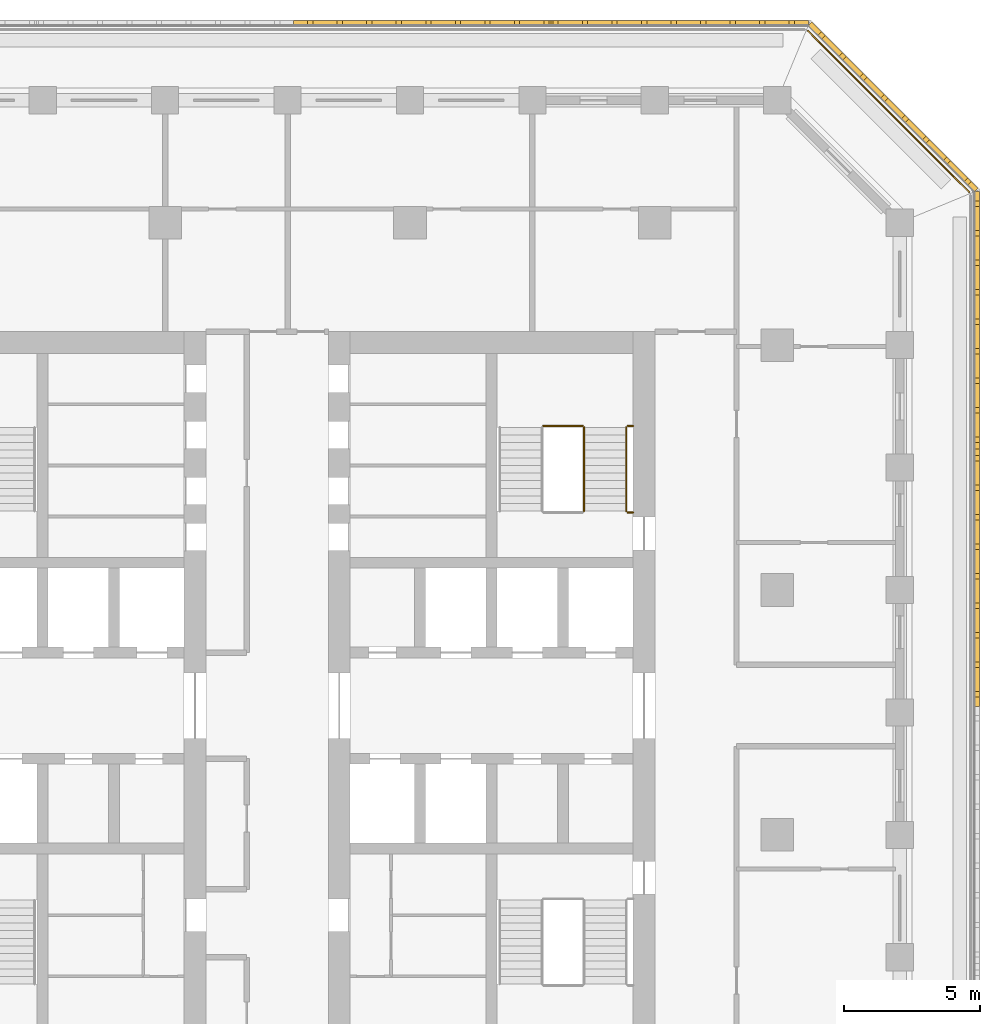
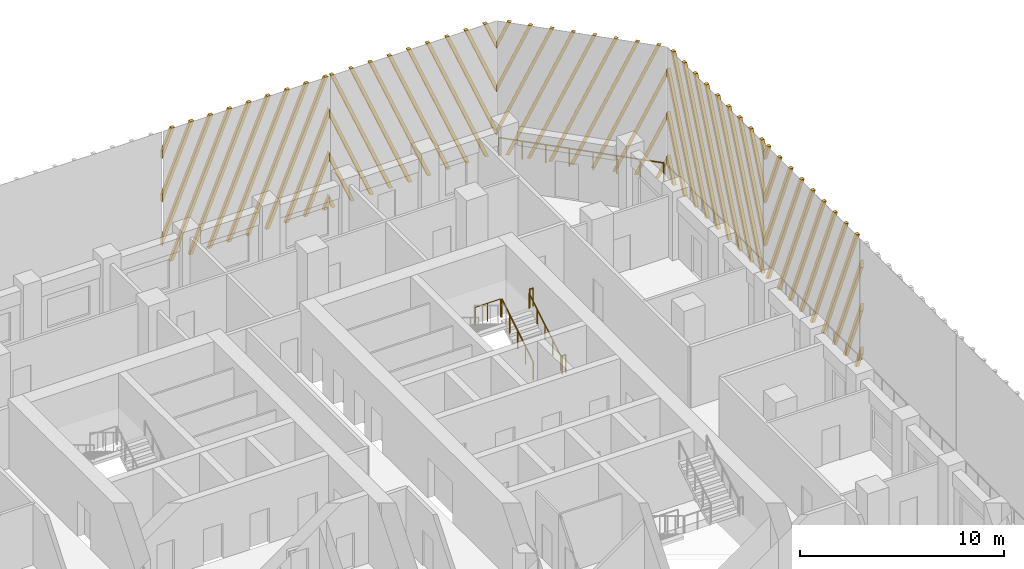
# One storey, part 16 of 17: 6 railings, 5 shading devices.
"""IFC4 building model written with IfcOpenShell, lengths in metres."""

from ifc_helpers import new_model, si_unit, direction, frame, origin, origin_2d, place, context, subcontext, project, spatial, polyline, circle, outline, extrude, source, transform, mapped, material, type_object, element, save


model = new_model("IFC4")

# Units and contexts
model_context = context("Model", 3, precision=1e-05, world=origin(), true_north=direction((0.0, 1.0)))
body_context = subcontext(model_context, "Body", "Model", "MODEL_VIEW")
ifc_project = project(units=[si_unit("LENGTHUNIT", "METRE"), si_unit("AREAUNIT", "SQUARE_METRE"), si_unit("VOLUMEUNIT", "CUBIC_METRE"), si_unit("PLANEANGLEUNIT", "RADIAN"), si_unit("MASSUNIT", "GRAM", prefix="KILO")], contexts=[model_context])

# Site, building, storey
site_placement = place(None, origin())
site = spatial("IfcSite", under=ifc_project, at=site_placement, CompositionType="ELEMENT")
building_placement = place(site_placement, origin())
building = spatial("IfcBuilding", under=site, at=building_placement, Name="Corbel Stack Research Tower", CompositionType="ELEMENT")
storey_placement = place(building_placement, frame((0.0, 0.0, 156.800048828125)))
storey = spatial("IfcBuildingStorey", under=building, at=storey_placement, Name="L35", CompositionType="ELEMENT", Elevation=156.800048828125)

# Railings
ifc_material_1 = material(Name="Steel S355", Category="steel")
railing_type_1 = type_object("IfcRailingType", Name="Stair guard 1100", PredefinedType="GUARDRAIL", material=ifc_material_1)
railing_1_placement = place(storey_placement, frame((15.39990234375, 11.89990234375, 0.1708984375)))
element("IfcRailing", 1, at=railing_1_placement, inside=storey, type_object=railing_type_1, Name="L35 ST-E2 stair guard 1", PredefinedType="GUARDRAIL", context=body_context, shape_type="SweptSolid", body=[
    extrude(circle(Radius=0.02392578125, at=origin_2d()), frame((0.0, 0.0, 1.076171875), z_axis=(0.0, 0.853666305674, 0.52082035152), x_axis=(-1.0, 0.0, 0.0)), (0.0, 0.0, 1.0), 3.608154296875),
    extrude(circle(Radius=0.02099609375, at=origin_2d()), origin(), (0.0, 0.0, 1.0), 1.052001953125),
    extrude(circle(Radius=0.02099609375, at=origin_2d()), frame((0.0, 0.77001953125, 0.4697265625)), (0.0, 0.0, 1.0), 1.052001953125),
    extrude(circle(Radius=0.02099609375, at=origin_2d()), frame((0.0, 1.5400390625, 0.939453125)), (0.0, 0.0, 1.0), 1.052001953125),
    extrude(circle(Radius=0.02099609375, at=origin_2d()), frame((0.0, 2.31005859375, 1.409423828125)), (0.0, 0.0, 1.0), 1.052001953125),
    extrude(circle(Radius=0.02099609375, at=origin_2d()), frame((0.0, 3.080078125, 1.879150390625)), (0.0, 0.0, 1.0), 1.052001953125),
])
railing_2_placement = place(storey_placement, frame((15.35009765625, 15.030029296875, 2.050048828125)))
element("IfcRailing", 2, at=railing_2_placement, inside=storey, type_object=railing_type_1, Name="L35 ST-E2 stair guard 2", PredefinedType="GUARDRAIL", context=body_context, shape_type="SweptSolid", body=[
    extrude(circle(Radius=0.02392578125, at=origin_2d()), frame((0.0, 0.0, 1.076171875), z_axis=(-1.0, 0.0, 0.0), x_axis=(0.0, -1.0, 0.0)), (0.0, 0.0, 1.0), 1.4501953125),
    extrude(circle(Radius=0.02099609375, at=origin_2d()), origin(), (0.0, 0.0, 1.0), 1.052001953125),
    extrude(circle(Radius=0.02099609375, at=origin_2d()), frame((-0.72509765625, 0.0, 0.0)), (0.0, 0.0, 1.0), 1.052001953125),
    extrude(circle(Radius=0.02099609375, at=origin_2d()), frame((-1.4501953125, 0.0, 0.0)), (0.0, 0.0, 1.0), 1.052001953125),
])
for number, where, name in (
    (3, (17.199951171875, 15.030029296875, 2.050048828125), "L35 ST-E2 stair guard 3"),
    (4, (17.199951171875, 11.85009765625, 0.0), "L35 ST-E2 stair guard 6"),
):
    element("IfcRailing", number, at=place(storey_placement, frame(where)), inside=storey, type_object=railing_type_1, Name=name, PredefinedType="GUARDRAIL", context=body_context, shape_type="SweptSolid", body=[
        extrude(circle(Radius=0.02392578125, at=origin_2d()), frame((0.0, 0.0, 1.076171875), z_axis=(-1.0, 0.0, 0.0), x_axis=(0.0, -1.0, 0.0)), (0.0, 0.0, 1.0), 0.199951171875),
        extrude(circle(Radius=0.02099609375, at=origin_2d()), origin(), (0.0, 0.0, 1.0), 1.052001953125),
        extrude(circle(Radius=0.02099609375, at=origin_2d()), frame((-0.199951171875, 0.0, 0.0)), (0.0, 0.0, 1.0), 1.052001953125),
    ])
ifc_material_2 = material(Name="Steel S355", Category="steel")
railing_type_2 = type_object("IfcRailingType", Name="Stair handrail 900", PredefinedType="HANDRAIL", material=ifc_material_2)
railing_3_placement = place(storey_placement, frame((16.949951171875, 11.89990234375, 0.1708984375)))
element("IfcRailing", 5, at=railing_3_placement, inside=storey, type_object=railing_type_2, Name="L35 ST-E2 stair handrail 1", PredefinedType="HANDRAIL", context=body_context, shape_type="SweptSolid", body=[
    extrude(circle(Radius=0.02392578125, at=origin_2d()), frame((0.0, 0.0, 0.8759765625), z_axis=(0.0, 0.853666305674, 0.52082035152), x_axis=(-1.0, 0.0, 0.0)), (0.0, 0.0, 1.0), 3.608154296875),
    extrude(circle(Radius=0.02099609375, at=origin_2d()), origin(), (0.0, 0.0, 1.0), 0.851806640625),
    extrude(circle(Radius=0.02099609375, at=origin_2d()), frame((0.0, 0.77001953125, 0.4697265625)), (0.0, 0.0, 1.0), 0.851806640625),
    extrude(circle(Radius=0.02099609375, at=origin_2d()), frame((0.0, 1.5400390625, 0.939453125)), (0.0, 0.0, 1.0), 0.851806640625),
    extrude(circle(Radius=0.02099609375, at=origin_2d()), frame((0.0, 2.31005859375, 1.409423828125)), (0.0, 0.0, 1.0), 0.851806640625),
    extrude(circle(Radius=0.02099609375, at=origin_2d()), frame((0.0, 3.080078125, 1.879150390625)), (0.0, 0.0, 1.0), 0.851806640625),
])
ifc_material_3 = material(Name="Powder-coated steel guard", Category="steel")
railing_type_3 = type_object("IfcRailingType", Name="Steel and glass guard 1100", PredefinedType="GUARDRAIL", material=ifc_material_3)
railing_4_placement = place(storey_placement, frame((29.54931640625, 23.627685546875, 0.0)))
element("IfcRailing", 6, at=railing_4_placement, inside=storey, type_object=railing_type_3, Name="Loggia guard L35 NE", PredefinedType="GUARDRAIL", context=body_context, shape_type="SweptSolid", body=[
    extrude(circle(Radius=0.02392578125, at=origin_2d()), frame((0.0, 0.0, 1.076171875), z_axis=(-0.707106781187, 0.707106781187, 0.0), x_axis=(-0.707106781187, -0.707106781187, 0.0)), (0.0, 0.0, 1.0), 8.37451171875),
    extrude(circle(Radius=0.02099609375, at=origin_2d()), origin(), (0.0, 0.0, 1.0), 1.052001953125),
    extrude(circle(Radius=0.02099609375, at=origin_2d()), frame((-0.845947265625, 0.845947265625, 0.0)), (0.0, 0.0, 1.0), 1.052001953125),
    extrude(circle(Radius=0.02099609375, at=origin_2d()), frame((-1.69189453125, 1.69189453125, 0.0)), (0.0, 0.0, 1.0), 1.052001953125),
    extrude(circle(Radius=0.02099609375, at=origin_2d()), frame((-2.537841796875, 2.537841796875, 0.0)), (0.0, 0.0, 1.0), 1.052001953125),
    extrude(circle(Radius=0.02099609375, at=origin_2d()), frame((-3.3837890625, 3.3837890625, 0.0)), (0.0, 0.0, 1.0), 1.052001953125),
    extrude(circle(Radius=0.02099609375, at=origin_2d()), frame((-4.229736328125, 4.229736328125, 0.0)), (0.0, 0.0, 1.0), 1.052001953125),
    extrude(circle(Radius=0.02099609375, at=origin_2d()), frame((-5.07568359375, 5.07568359375, 0.0)), (0.0, 0.0, 1.0), 1.052001953125),
    extrude(circle(Radius=0.02099609375, at=origin_2d()), frame((-5.921630859375, 5.921630859375, 0.0)), (0.0, 0.0, 1.0), 1.052001953125),
])

# Shading devices
ifc_material_4 = material(Name="Precast terracotta", Category="masonry")
shading_device_type = type_object("IfcShadingDeviceType", Name="Terracotta screen panel", PredefinedType="USERDEFINED", material=ifc_material_4)
shared_shape_1 = source(origin(), body_context, "Body", "SweptSolid", [
    extrude(outline(polyline([(0.432373046875, 7.949951171875), (0.2421875, 7.949951171875), (0.0, 7.36962890625), (0.0, 6.914794921875), (0.432373046875, 7.949951171875)])), frame((0.0, 0.0, 0.0), z_axis=(0.0, -1.0, 0.0), x_axis=(1.0, 0.0, 0.0)), (0.0, 0.0, 1.0), 0.179931640625),
    extrude(outline(polyline([(1.51708984375, 7.949951171875), (1.326904296875, 7.949951171875), (0.0, 4.7724609375), (0.0, 4.317626953125), (1.51708984375, 7.949951171875)])), frame((0.0, 0.0, 0.0), z_axis=(0.0, -1.0, 0.0), x_axis=(1.0, 0.0, 0.0)), (0.0, 0.0, 1.0), 0.179931640625),
    extrude(outline(polyline([(2.601806640625, 7.949951171875), (2.41162109375, 7.949951171875), (0.0, 2.17529296875), (0.0, 1.720458984375), (2.601806640625, 7.949951171875)])), frame((0.0, 0.0, 0.0), z_axis=(0.0, -1.0, 0.0), x_axis=(1.0, 0.0, 0.0)), (0.0, 0.0, 1.0), 0.179931640625),
    extrude(outline(polyline([(0.3662109375, 0.0), (3.686279296875, 7.949951171875), (3.496337890625, 7.949951171875), (0.17626953125, 0.0), (0.3662109375, 0.0)])), frame((0.0, 0.0, 0.0), z_axis=(0.0, -1.0, 0.0), x_axis=(1.0, 0.0, 0.0)), (0.0, 0.0, 1.0), 0.179931640625),
    extrude(outline(polyline([(1.45068359375, 0.0), (4.77099609375, 7.949951171875), (4.5810546875, 7.949951171875), (1.2607421875, 0.0), (1.45068359375, 0.0)])), frame((0.0, 0.0, 0.0), z_axis=(0.0, -1.0, 0.0), x_axis=(1.0, 0.0, 0.0)), (0.0, 0.0, 1.0), 0.179931640625),
    extrude(outline(polyline([(2.535400390625, 0.0), (5.855712890625, 7.949951171875), (5.665771484375, 7.949951171875), (2.345458984375, 0.0), (2.535400390625, 0.0)])), frame((0.0, 0.0, 0.0), z_axis=(0.0, -1.0, 0.0), x_axis=(1.0, 0.0, 0.0)), (0.0, 0.0, 1.0), 0.179931640625),
    extrude(outline(polyline([(3.6201171875, 0.0), (6.940185546875, 7.949951171875), (6.750244140625, 7.949951171875), (3.43017578125, 0.0), (3.6201171875, 0.0)])), frame((0.0, 0.0, 0.0), z_axis=(0.0, -1.0, 0.0), x_axis=(1.0, 0.0, 0.0)), (0.0, 0.0, 1.0), 0.179931640625),
    extrude(outline(polyline([(4.704833984375, 0.0), (8.02490234375, 7.949951171875), (7.8349609375, 7.949951171875), (4.514892578125, 0.0), (4.704833984375, 0.0)])), frame((0.0, 0.0, 0.0), z_axis=(0.0, -1.0, 0.0), x_axis=(1.0, 0.0, 0.0)), (0.0, 0.0, 1.0), 0.179931640625),
    extrude(outline(polyline([(5.78955078125, 0.0), (9.109619140625, 7.949951171875), (8.919677734375, 7.949951171875), (5.599609375, 0.0), (5.78955078125, 0.0)])), frame((0.0, 0.0, 0.0), z_axis=(0.0, -1.0, 0.0), x_axis=(1.0, 0.0, 0.0)), (0.0, 0.0, 1.0), 0.179931640625),
    extrude(outline(polyline([(6.874267578125, 0.0), (9.45556640625, 6.18115234375), (9.45556640625, 6.63623046875), (6.68408203125, 0.0), (6.874267578125, 0.0)])), frame((0.0, 0.0, 0.0), z_axis=(0.0, -1.0, 0.0), x_axis=(1.0, 0.0, 0.0)), (0.0, 0.0, 1.0), 0.179931640625),
    extrude(outline(polyline([(7.958740234375, 0.0), (9.45556640625, 3.583984375), (9.45556640625, 4.0390625), (7.768798828125, 0.0), (7.958740234375, 0.0)])), frame((0.0, 0.0, 0.0), z_axis=(0.0, -1.0, 0.0), x_axis=(1.0, 0.0, 0.0)), (0.0, 0.0, 1.0), 0.179931640625),
    extrude(outline(polyline([(9.04345703125, 0.0), (9.45556640625, 0.98681640625), (9.45556640625, 1.44189453125), (8.853515625, 0.0), (9.04345703125, 0.0)])), frame((0.0, 0.0, 0.0), z_axis=(0.0, -1.0, 0.0), x_axis=(1.0, 0.0, 0.0)), (0.0, 0.0, 1.0), 0.179931640625),
])
shading_device_1_placement = place(storey_placement, frame((29.75, 14.18359375, 0.0), z_axis=(0.0, 0.0, 1.0), x_axis=(0.0, 1.0, 0.0)))
element("IfcShadingDevice", 7, at=shading_device_1_placement, inside=storey, type_object=shading_device_type, Name="Terracotta screen L35 E5", ObjectType="SCREEN", PredefinedType="USERDEFINED", context=body_context, shape_type="MappedRepresentation", body=[
    mapped(shared_shape_1, transform((0.0, 0.0, 0.0))),
])
shared_shape_2 = source(origin(), body_context, "Body", "SweptSolid", [
    extrude(outline(polyline([(0.60205078125, 0.0), (0.0, 1.44189453125), (0.0, 0.98681640625), (0.412109375, 0.0), (0.60205078125, 0.0)])), frame((0.0, 0.0, 0.0), z_axis=(0.0, -1.0, 0.0), x_axis=(1.0, 0.0, 0.0)), (0.0, 0.0, 1.0), 0.179931640625),
    extrude(outline(polyline([(1.686767578125, 0.0), (0.0, 4.0390625), (0.0, 3.583984375), (1.496826171875, 0.0), (1.686767578125, 0.0)])), frame((0.0, 0.0, 0.0), z_axis=(0.0, -1.0, 0.0), x_axis=(1.0, 0.0, 0.0)), (0.0, 0.0, 1.0), 0.179931640625),
    extrude(outline(polyline([(2.771484375, 0.0), (0.0, 6.63623046875), (0.0, 6.18115234375), (2.58154296875, 0.0), (2.771484375, 0.0)])), frame((0.0, 0.0, 0.0), z_axis=(0.0, -1.0, 0.0), x_axis=(1.0, 0.0, 0.0)), (0.0, 0.0, 1.0), 0.179931640625),
    extrude(outline(polyline([(3.856201171875, 0.0), (0.535888671875, 7.949951171875), (0.345947265625, 7.949951171875), (3.666015625, 0.0), (3.856201171875, 0.0)])), frame((0.0, 0.0, 0.0), z_axis=(0.0, -1.0, 0.0), x_axis=(1.0, 0.0, 0.0)), (0.0, 0.0, 1.0), 0.179931640625),
    extrude(outline(polyline([(4.94091796875, 0.0), (1.62060546875, 7.949951171875), (1.4306640625, 7.949951171875), (4.750732421875, 0.0), (4.94091796875, 0.0)])), frame((0.0, 0.0, 0.0), z_axis=(0.0, -1.0, 0.0), x_axis=(1.0, 0.0, 0.0)), (0.0, 0.0, 1.0), 0.179931640625),
    extrude(outline(polyline([(6.025390625, 0.0), (2.705322265625, 7.949951171875), (2.515380859375, 7.949951171875), (5.83544921875, 0.0), (6.025390625, 0.0)])), frame((0.0, 0.0, 0.0), z_axis=(0.0, -1.0, 0.0), x_axis=(1.0, 0.0, 0.0)), (0.0, 0.0, 1.0), 0.179931640625),
    extrude(outline(polyline([(7.110107421875, 0.0), (3.7900390625, 7.949951171875), (3.60009765625, 7.949951171875), (6.920166015625, 0.0), (7.110107421875, 0.0)])), frame((0.0, 0.0, 0.0), z_axis=(0.0, -1.0, 0.0), x_axis=(1.0, 0.0, 0.0)), (0.0, 0.0, 1.0), 0.179931640625),
    extrude(outline(polyline([(8.19482421875, 0.0), (4.87451171875, 7.949951171875), (4.6845703125, 7.949951171875), (8.0048828125, 0.0), (8.19482421875, 0.0)])), frame((0.0, 0.0, 0.0), z_axis=(0.0, -1.0, 0.0), x_axis=(1.0, 0.0, 0.0)), (0.0, 0.0, 1.0), 0.179931640625),
    extrude(outline(polyline([(9.279541015625, 0.0), (5.959228515625, 7.949951171875), (5.769287109375, 7.949951171875), (9.089599609375, 0.0), (9.279541015625, 0.0)])), frame((0.0, 0.0, 0.0), z_axis=(0.0, -1.0, 0.0), x_axis=(1.0, 0.0, 0.0)), (0.0, 0.0, 1.0), 0.179931640625),
    extrude(outline(polyline([(7.0439453125, 7.949951171875), (6.85400390625, 7.949951171875), (9.45556640625, 1.720458984375), (9.45556640625, 2.17529296875), (7.0439453125, 7.949951171875)])), frame((0.0, 0.0, 0.0), z_axis=(0.0, -1.0, 0.0), x_axis=(1.0, 0.0, 0.0)), (0.0, 0.0, 1.0), 0.179931640625),
    extrude(outline(polyline([(8.128662109375, 7.949951171875), (7.938720703125, 7.949951171875), (9.45556640625, 4.317626953125), (9.45556640625, 4.7724609375), (8.128662109375, 7.949951171875)])), frame((0.0, 0.0, 0.0), z_axis=(0.0, -1.0, 0.0), x_axis=(1.0, 0.0, 0.0)), (0.0, 0.0, 1.0), 0.179931640625),
    extrude(outline(polyline([(9.21337890625, 7.949951171875), (9.023193359375, 7.949951171875), (9.45556640625, 6.914794921875), (9.45556640625, 7.36962890625), (9.21337890625, 7.949951171875)])), frame((0.0, 0.0, 0.0), z_axis=(0.0, -1.0, 0.0), x_axis=(1.0, 0.0, 0.0)), (0.0, 0.0, 1.0), 0.179931640625),
])
shading_device_2_placement = place(storey_placement, frame((29.75, 4.727783203125, 0.0), z_axis=(0.0, 0.0, 1.0), x_axis=(0.0, 1.0, 0.0)))
element("IfcShadingDevice", 8, at=shading_device_2_placement, inside=storey, type_object=shading_device_type, Name="Terracotta screen L35 E4", ObjectType="SCREEN", PredefinedType="USERDEFINED", context=body_context, shape_type="MappedRepresentation", body=[
    mapped(shared_shape_2, transform((0.0, 0.0, 0.0))),
])
shared_shape_3 = source(origin(), body_context, "Body", "SweptSolid", [
    extrude(outline(polyline([(0.60205078125, 0.0), (0.0, 1.44189453125), (0.0, 0.98681640625), (0.412109375, 0.0), (0.60205078125, 0.0)])), frame((0.0, 0.0, 0.0), z_axis=(0.0, -1.0, 0.0), x_axis=(1.0, 0.0, 0.0)), (0.0, 0.0, 1.0), 0.179931640625),
    extrude(outline(polyline([(1.686767578125, 0.0), (0.0, 4.0390625), (0.0, 3.583984375), (1.496826171875, 0.0), (1.686767578125, 0.0)])), frame((0.0, 0.0, 0.0), z_axis=(0.0, -1.0, 0.0), x_axis=(1.0, 0.0, 0.0)), (0.0, 0.0, 1.0), 0.179931640625),
    extrude(outline(polyline([(2.771484375, 0.0), (0.0, 6.63623046875), (0.0, 6.18115234375), (2.58154296875, 0.0), (2.771484375, 0.0)])), frame((0.0, 0.0, 0.0), z_axis=(0.0, -1.0, 0.0), x_axis=(1.0, 0.0, 0.0)), (0.0, 0.0, 1.0), 0.179931640625),
    extrude(outline(polyline([(3.856201171875, 0.0), (0.535888671875, 7.949951171875), (0.345947265625, 7.949951171875), (3.666015625, 0.0), (3.856201171875, 0.0)])), frame((0.0, 0.0, 0.0), z_axis=(0.0, -1.0, 0.0), x_axis=(1.0, 0.0, 0.0)), (0.0, 0.0, 1.0), 0.179931640625),
    extrude(outline(polyline([(4.94091796875, 0.0), (1.62060546875, 7.949951171875), (1.4306640625, 7.949951171875), (4.750732421875, 0.0), (4.94091796875, 0.0)])), frame((0.0, 0.0, 0.0), z_axis=(0.0, -1.0, 0.0), x_axis=(1.0, 0.0, 0.0)), (0.0, 0.0, 1.0), 0.179931640625),
    extrude(outline(polyline([(6.025390625, 0.0), (2.705322265625, 7.949951171875), (2.515380859375, 7.949951171875), (5.83544921875, 0.0), (6.025390625, 0.0)])), frame((0.0, 0.0, 0.0), z_axis=(0.0, -1.0, 0.0), x_axis=(1.0, 0.0, 0.0)), (0.0, 0.0, 1.0), 0.179931640625),
    extrude(outline(polyline([(7.110107421875, 0.0), (3.7900390625, 7.949951171875), (3.60009765625, 7.949951171875), (6.920166015625, 0.0), (7.110107421875, 0.0)])), frame((0.0, 0.0, 0.0), z_axis=(0.0, -1.0, 0.0), x_axis=(1.0, 0.0, 0.0)), (0.0, 0.0, 1.0), 0.179931640625),
    extrude(outline(polyline([(8.19482421875, 0.0), (4.87451171875, 7.949951171875), (4.6845703125, 7.949951171875), (8.0048828125, 0.0), (8.19482421875, 0.0)])), frame((0.0, 0.0, 0.0), z_axis=(0.0, -1.0, 0.0), x_axis=(1.0, 0.0, 0.0)), (0.0, 0.0, 1.0), 0.179931640625),
    extrude(outline(polyline([(5.959228515625, 7.949951171875), (5.769287109375, 7.949951171875), (8.64208984375, 1.071044921875), (8.64208984375, 1.526123046875), (5.959228515625, 7.949951171875)])), frame((0.0, 0.0, 0.0), z_axis=(0.0, -1.0, 0.0), x_axis=(1.0, 0.0, 0.0)), (0.0, 0.0, 1.0), 0.179931640625),
    extrude(outline(polyline([(7.0439453125, 7.949951171875), (6.85400390625, 7.949951171875), (8.64208984375, 3.668212890625), (8.64208984375, 4.123291015625), (7.0439453125, 7.949951171875)])), frame((0.0, 0.0, 0.0), z_axis=(0.0, -1.0, 0.0), x_axis=(1.0, 0.0, 0.0)), (0.0, 0.0, 1.0), 0.179931640625),
    extrude(outline(polyline([(8.128662109375, 7.949951171875), (7.938720703125, 7.949951171875), (8.64208984375, 6.265380859375), (8.64208984375, 6.720458984375), (8.128662109375, 7.949951171875)])), frame((0.0, 0.0, 0.0), z_axis=(0.0, -1.0, 0.0), x_axis=(1.0, 0.0, 0.0)), (0.0, 0.0, 1.0), 0.179931640625),
])
shading_device_3_placement = place(storey_placement, frame((29.75, 23.63916015625, 0.0), z_axis=(0.0, 0.0, 1.0), x_axis=(-0.707106781187, 0.707106781187, 0.0)))
element("IfcShadingDevice", 9, at=shading_device_3_placement, inside=storey, type_object=shading_device_type, Name="Terracotta screen L35 NE1", ObjectType="SCREEN", PredefinedType="USERDEFINED", context=body_context, shape_type="MappedRepresentation", body=[
    mapped(shared_shape_3, transform((0.0, 0.0, 0.0))),
])
shared_shape_4 = source(origin(), body_context, "Body", "SweptSolid", [
    extrude(outline(polyline([(0.70361328125, 7.949951171875), (0.513427734375, 7.949951171875), (0.0, 6.720458984375), (0.0, 6.265380859375), (0.70361328125, 7.949951171875)])), frame((0.0, 0.0, 0.0), z_axis=(0.0, -1.0, 0.0), x_axis=(1.0, 0.0, 0.0)), (0.0, 0.0, 1.0), 0.179931640625),
    extrude(outline(polyline([(1.7880859375, 7.949951171875), (1.59814453125, 7.949951171875), (0.0, 4.123291015625), (0.0, 3.668212890625), (1.7880859375, 7.949951171875)])), frame((0.0, 0.0, 0.0), z_axis=(0.0, -1.0, 0.0), x_axis=(1.0, 0.0, 0.0)), (0.0, 0.0, 1.0), 0.179931640625),
    extrude(outline(polyline([(2.872802734375, 7.949951171875), (2.682861328125, 7.949951171875), (0.0, 1.526123046875), (0.0, 1.071044921875), (2.872802734375, 7.949951171875)])), frame((0.0, 0.0, 0.0), z_axis=(0.0, -1.0, 0.0), x_axis=(1.0, 0.0, 0.0)), (0.0, 0.0, 1.0), 0.179931640625),
    extrude(outline(polyline([(0.63720703125, 0.0), (3.95751953125, 7.949951171875), (3.767578125, 7.949951171875), (0.447265625, 0.0), (0.63720703125, 0.0)])), frame((0.0, 0.0, 0.0), z_axis=(0.0, -1.0, 0.0), x_axis=(1.0, 0.0, 0.0)), (0.0, 0.0, 1.0), 0.179931640625),
    extrude(outline(polyline([(1.721923828125, 0.0), (5.042236328125, 7.949951171875), (4.852294921875, 7.949951171875), (1.531982421875, 0.0), (1.721923828125, 0.0)])), frame((0.0, 0.0, 0.0), z_axis=(0.0, -1.0, 0.0), x_axis=(1.0, 0.0, 0.0)), (0.0, 0.0, 1.0), 0.179931640625),
    extrude(outline(polyline([(2.806640625, 0.0), (6.126708984375, 7.949951171875), (5.936767578125, 7.949951171875), (2.61669921875, 0.0), (2.806640625, 0.0)])), frame((0.0, 0.0, 0.0), z_axis=(0.0, -1.0, 0.0), x_axis=(1.0, 0.0, 0.0)), (0.0, 0.0, 1.0), 0.179931640625),
    extrude(outline(polyline([(3.891357421875, 0.0), (7.21142578125, 7.949951171875), (7.021484375, 7.949951171875), (3.701416015625, 0.0), (3.891357421875, 0.0)])), frame((0.0, 0.0, 0.0), z_axis=(0.0, -1.0, 0.0), x_axis=(1.0, 0.0, 0.0)), (0.0, 0.0, 1.0), 0.179931640625),
    extrude(outline(polyline([(4.97607421875, 0.0), (8.296142578125, 7.949951171875), (8.106201171875, 7.949951171875), (4.785888671875, 0.0), (4.97607421875, 0.0)])), frame((0.0, 0.0, 0.0), z_axis=(0.0, -1.0, 0.0), x_axis=(1.0, 0.0, 0.0)), (0.0, 0.0, 1.0), 0.179931640625),
    extrude(outline(polyline([(6.060791015625, 0.0), (9.380859375, 7.949951171875), (9.19091796875, 7.949951171875), (5.87060546875, 0.0), (6.060791015625, 0.0)])), frame((0.0, 0.0, 0.0), z_axis=(0.0, -1.0, 0.0), x_axis=(1.0, 0.0, 0.0)), (0.0, 0.0, 1.0), 0.179931640625),
    extrude(outline(polyline([(7.145263671875, 0.0), (9.45556640625, 5.531982421875), (9.45556640625, 5.98681640625), (6.955322265625, 0.0), (7.145263671875, 0.0)])), frame((0.0, 0.0, 0.0), z_axis=(0.0, -1.0, 0.0), x_axis=(1.0, 0.0, 0.0)), (0.0, 0.0, 1.0), 0.179931640625),
    extrude(outline(polyline([(8.22998046875, 0.0), (9.45556640625, 2.934814453125), (9.45556640625, 3.3896484375), (8.0400390625, 0.0), (8.22998046875, 0.0)])), frame((0.0, 0.0, 0.0), z_axis=(0.0, -1.0, 0.0), x_axis=(1.0, 0.0, 0.0)), (0.0, 0.0, 1.0), 0.179931640625),
    extrude(outline(polyline([(9.314697265625, 0.0), (9.45556640625, 0.337646484375), (9.45556640625, 0.79248046875), (9.124755859375, 0.0), (9.314697265625, 0.0)])), frame((0.0, 0.0, 0.0), z_axis=(0.0, -1.0, 0.0), x_axis=(1.0, 0.0, 0.0)), (0.0, 0.0, 1.0), 0.179931640625),
])
shading_device_4_placement = place(storey_placement, frame((23.63916015625, 29.75, 0.0), z_axis=(0.0, 0.0, 1.0), x_axis=(-1.0, 0.0, 0.0)))
element("IfcShadingDevice", 10, at=shading_device_4_placement, inside=storey, type_object=shading_device_type, Name="Terracotta screen L35 N1", ObjectType="SCREEN", PredefinedType="USERDEFINED", context=body_context, shape_type="MappedRepresentation", body=[
    mapped(shared_shape_4, transform((0.0, 0.0, 0.0))),
])
shared_shape_5 = source(origin(), body_context, "Body", "SweptSolid", [
    extrude(outline(polyline([(0.3310546875, 0.0), (0.0, 0.79248046875), (0.0, 0.337646484375), (0.14111328125, 0.0), (0.3310546875, 0.0)])), frame((0.0, 0.0, 0.0), z_axis=(0.0, -1.0, 0.0), x_axis=(1.0, 0.0, 0.0)), (0.0, 0.0, 1.0), 0.179931640625),
    extrude(outline(polyline([(1.41552734375, 0.0), (0.0, 3.3896484375), (0.0, 2.934814453125), (1.2255859375, 0.0), (1.41552734375, 0.0)])), frame((0.0, 0.0, 0.0), z_axis=(0.0, -1.0, 0.0), x_axis=(1.0, 0.0, 0.0)), (0.0, 0.0, 1.0), 0.179931640625),
    extrude(outline(polyline([(2.500244140625, 0.0), (0.0, 5.98681640625), (0.0, 5.531982421875), (2.310302734375, 0.0), (2.500244140625, 0.0)])), frame((0.0, 0.0, 0.0), z_axis=(0.0, -1.0, 0.0), x_axis=(1.0, 0.0, 0.0)), (0.0, 0.0, 1.0), 0.179931640625),
    extrude(outline(polyline([(3.5849609375, 0.0), (0.264892578125, 7.949951171875), (0.07470703125, 7.949951171875), (3.39501953125, 0.0), (3.5849609375, 0.0)])), frame((0.0, 0.0, 0.0), z_axis=(0.0, -1.0, 0.0), x_axis=(1.0, 0.0, 0.0)), (0.0, 0.0, 1.0), 0.179931640625),
    extrude(outline(polyline([(4.669677734375, 0.0), (1.349609375, 7.949951171875), (1.159423828125, 7.949951171875), (4.4794921875, 0.0), (4.669677734375, 0.0)])), frame((0.0, 0.0, 0.0), z_axis=(0.0, -1.0, 0.0), x_axis=(1.0, 0.0, 0.0)), (0.0, 0.0, 1.0), 0.179931640625),
    extrude(outline(polyline([(5.75439453125, 0.0), (2.43408203125, 7.949951171875), (2.244140625, 7.949951171875), (5.564208984375, 0.0), (5.75439453125, 0.0)])), frame((0.0, 0.0, 0.0), z_axis=(0.0, -1.0, 0.0), x_axis=(1.0, 0.0, 0.0)), (0.0, 0.0, 1.0), 0.179931640625),
    extrude(outline(polyline([(6.839111328125, 0.0), (3.518798828125, 7.949951171875), (3.328857421875, 7.949951171875), (6.64892578125, 0.0), (6.839111328125, 0.0)])), frame((0.0, 0.0, 0.0), z_axis=(0.0, -1.0, 0.0), x_axis=(1.0, 0.0, 0.0)), (0.0, 0.0, 1.0), 0.179931640625),
    extrude(outline(polyline([(7.923583984375, 0.0), (4.603515625, 7.949951171875), (4.41357421875, 7.949951171875), (7.733642578125, 0.0), (7.923583984375, 0.0)])), frame((0.0, 0.0, 0.0), z_axis=(0.0, -1.0, 0.0), x_axis=(1.0, 0.0, 0.0)), (0.0, 0.0, 1.0), 0.179931640625),
    extrude(outline(polyline([(9.00830078125, 0.0), (5.68798828125, 7.949951171875), (5.498046875, 7.949951171875), (8.818359375, 0.0), (9.00830078125, 0.0)])), frame((0.0, 0.0, 0.0), z_axis=(0.0, -1.0, 0.0), x_axis=(1.0, 0.0, 0.0)), (0.0, 0.0, 1.0), 0.179931640625),
    extrude(outline(polyline([(6.772705078125, 7.949951171875), (6.582763671875, 7.949951171875), (9.45556640625, 1.071044921875), (9.45556640625, 1.526123046875), (6.772705078125, 7.949951171875)])), frame((0.0, 0.0, 0.0), z_axis=(0.0, -1.0, 0.0), x_axis=(1.0, 0.0, 0.0)), (0.0, 0.0, 1.0), 0.179931640625),
    extrude(outline(polyline([(7.857421875, 7.949951171875), (7.66748046875, 7.949951171875), (9.45556640625, 3.668212890625), (9.45556640625, 4.123291015625), (7.857421875, 7.949951171875)])), frame((0.0, 0.0, 0.0), z_axis=(0.0, -1.0, 0.0), x_axis=(1.0, 0.0, 0.0)), (0.0, 0.0, 1.0), 0.179931640625),
    extrude(outline(polyline([(8.942138671875, 7.949951171875), (8.752197265625, 7.949951171875), (9.45556640625, 6.265380859375), (9.45556640625, 6.720458984375), (8.942138671875, 7.949951171875)])), frame((0.0, 0.0, 0.0), z_axis=(0.0, -1.0, 0.0), x_axis=(1.0, 0.0, 0.0)), (0.0, 0.0, 1.0), 0.179931640625),
])
shading_device_5_placement = place(storey_placement, frame((14.18359375, 29.75, 0.0), z_axis=(0.0, 0.0, 1.0), x_axis=(-1.0, 0.0, 0.0)))
element("IfcShadingDevice", 11, at=shading_device_5_placement, inside=storey, type_object=shading_device_type, Name="Terracotta screen L35 N2", ObjectType="SCREEN", PredefinedType="USERDEFINED", context=body_context, shape_type="MappedRepresentation", body=[
    mapped(shared_shape_5, transform((0.0, 0.0, 0.0))),
])

save(model, "model.ifc")
